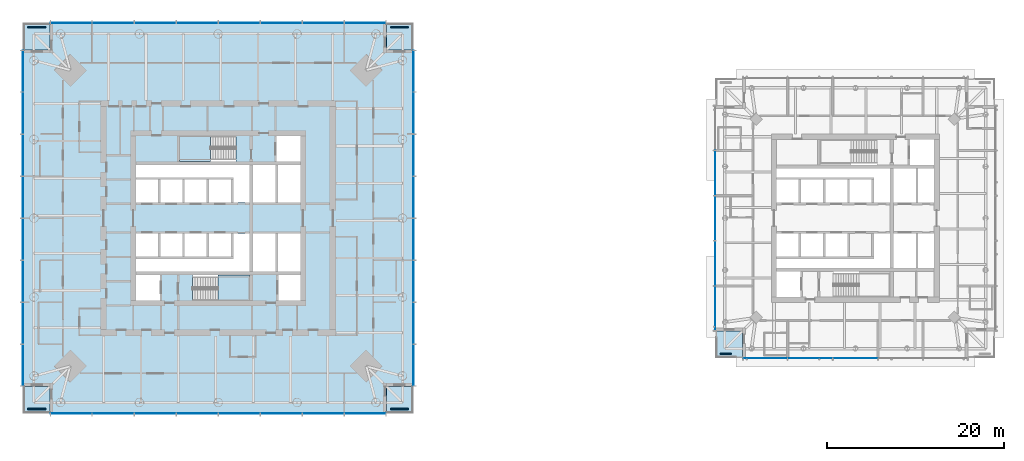
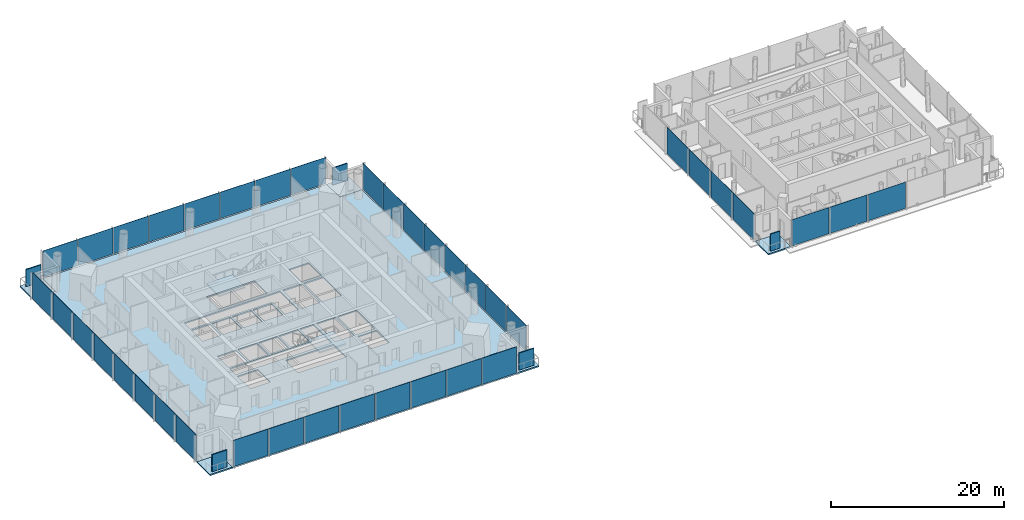
# One storey, part 6 of 19: 44 plates, 8 slabs, 8 elements without a shape of their own.
"""IFC4 building model written with IfcOpenShell, lengths in metres."""

from ifc_helpers import new_model, si_unit, direction, frame, origin, origin_2d, place, context, subcontext, project, spatial, polyline, rectangle, outline, extrude, material, layer, layer_set, type_object, element, aggregate, save


model = new_model("IFC4")

# Units and contexts
model_context = context("Model", 3, precision=1e-05, world=origin(), true_north=direction((0.0, 1.0)))
body_context = subcontext(model_context, "Body", "Model", "MODEL_VIEW")
ifc_project = project(units=[si_unit("LENGTHUNIT", "METRE"), si_unit("AREAUNIT", "SQUARE_METRE"), si_unit("VOLUMEUNIT", "CUBIC_METRE"), si_unit("PLANEANGLEUNIT", "RADIAN"), si_unit("MASSUNIT", "GRAM", prefix="KILO")], contexts=[model_context])

# Site, building, storey
site_placement = place(None, origin())
site = spatial("IfcSite", under=ifc_project, at=site_placement, CompositionType="ELEMENT")
building_placement = place(site_placement, origin())
building = spatial("IfcBuilding", under=site, at=building_placement, Name="Ostroluk Exchange", CompositionType="ELEMENT")
storey_placement = place(building_placement, frame((0.0, 0.0, 119.800048828125)))
storey = spatial("IfcBuildingStorey", under=building, at=storey_placement, Name="L30", CompositionType="ELEMENT", Elevation=119.800048828125)

# Curtain wall, plates
ifc_material_1 = material(Name="Laminated clear glass", Category="glass")
curtain_wall_type_1 = type_object("IfcCurtainWallType", Name="Hotel guest floor facade", PredefinedType="USERDEFINED", material=ifc_material_1)
curtain_wall_1_placement = place(storey_placement, origin())
curtain_wall_1 = element("IfcCurtainWall", 1, at=curtain_wall_1_placement, inside=storey, type_object=curtain_wall_type_1, Name="Hotel tower south facade L30", ObjectType="UNITISED CURTAIN WALL", PredefinedType="USERDEFINED")
ifc_material_2 = material(Name="Laminated clear glass", Category="glass")
ifc_layer_1 = layer(ifc_material_2, 0.0400390625)
ifc_layer_set_1 = layer_set([ifc_layer_1], Name="Acoustic laminated glazing 40")
plate_type_1 = type_object("IfcPlateType", Name="Acoustic laminated glazing 40", PredefinedType="CURTAIN_PANEL", material=ifc_layer_set_1)
plate_1_placement = place(storey_placement, frame((106.820068359375, 30.175048828125, 0.080078125), z_axis=(0.0, 0.0, 1.0), x_axis=(1.0, 0.0, 0.0)))
plate_1 = element("IfcPlate", 2, at=plate_1_placement, type_object=plate_type_1, Name="CW-H1 panel 1.1", PredefinedType="CURTAIN_PANEL", context=body_context, shape_type="SweptSolid", body=[
    extrude(rectangle(XDim=4.97998046875, YDim=0.0400390625, at=origin_2d()), origin(), (0.0, 0.0, 1.0), 3.719970703125),
])
plate_2_placement = place(storey_placement, frame((111.89990234375, 30.175048828125, 0.080078125), z_axis=(0.0, 0.0, 1.0), x_axis=(1.0, 0.0, 0.0)))
plate_2 = element("IfcPlate", 3, at=plate_2_placement, type_object=plate_type_1, Name="CW-H1 panel 2.1", PredefinedType="CURTAIN_PANEL", context=body_context, shape_type="SweptSolid", body=[
    extrude(rectangle(XDim=5.02001953125, YDim=0.0400390625, at=origin_2d()), origin(), (0.0, 0.0, 1.0), 3.719970703125),
])
plate_3_placement = place(storey_placement, frame((117.0, 30.175048828125, 0.080078125), z_axis=(0.0, 0.0, 1.0), x_axis=(1.0, 0.0, 0.0)))
plate_3 = element("IfcPlate", 4, at=plate_3_placement, type_object=plate_type_1, Name="CW-H1 panel 3.1", PredefinedType="CURTAIN_PANEL", context=body_context, shape_type="SweptSolid", body=[
    extrude(rectangle(XDim=5.02001953125, YDim=0.0400390625, at=origin_2d()), origin(), (0.0, 0.0, 1.0), 3.719970703125),
])
aggregate(curtain_wall_1, [plate_1, plate_2, plate_3])

curtain_wall_2_placement = place(storey_placement, origin())
curtain_wall_2 = element("IfcCurtainWall", 5, at=curtain_wall_2_placement, inside=storey, type_object=curtain_wall_type_1, Name="Hotel tower west facade L30", ObjectType="UNITISED CURTAIN WALL", PredefinedType="USERDEFINED")
plate_4_placement = place(storey_placement, frame((101.175048828125, 51.10009765625, 0.080078125), z_axis=(0.0, 0.0, 1.0), x_axis=(0.0, -1.0, 0.0)))
plate_4 = element("IfcPlate", 6, at=plate_4_placement, type_object=plate_type_1, Name="CW-H1 panel 2.1", PredefinedType="CURTAIN_PANEL", context=body_context, shape_type="SweptSolid", body=[
    extrude(rectangle(XDim=5.02001953125, YDim=0.0400390625, at=origin_2d()), origin(), (0.0, 0.0, 1.0), 3.719970703125),
])
plate_5_placement = place(storey_placement, frame((101.175048828125, 46.0, 0.080078125), z_axis=(0.0, 0.0, 1.0), x_axis=(0.0, -1.0, 0.0)))
plate_5 = element("IfcPlate", 7, at=plate_5_placement, type_object=plate_type_1, Name="CW-H1 panel 3.1", PredefinedType="CURTAIN_PANEL", context=body_context, shape_type="SweptSolid", body=[
    extrude(rectangle(XDim=5.02001953125, YDim=0.0400390625, at=origin_2d()), origin(), (0.0, 0.0, 1.0), 3.719970703125),
])
plate_6_placement = place(storey_placement, frame((101.175048828125, 40.89990234375, 0.080078125), z_axis=(0.0, 0.0, 1.0), x_axis=(0.0, -1.0, 0.0)))
plate_6 = element("IfcPlate", 8, at=plate_6_placement, type_object=plate_type_1, Name="CW-H1 panel 4.1", PredefinedType="CURTAIN_PANEL", context=body_context, shape_type="SweptSolid", body=[
    extrude(rectangle(XDim=5.02001953125, YDim=0.0400390625, at=origin_2d()), origin(), (0.0, 0.0, 1.0), 3.719970703125),
])
plate_7_placement = place(storey_placement, frame((101.175048828125, 35.820068359375, 0.080078125), z_axis=(0.0, 0.0, 1.0), x_axis=(0.0, -1.0, 0.0)))
plate_7 = element("IfcPlate", 9, at=plate_7_placement, type_object=plate_type_1, Name="CW-H1 panel 5.1", PredefinedType="CURTAIN_PANEL", context=body_context, shape_type="SweptSolid", body=[
    extrude(rectangle(XDim=4.97998046875, YDim=0.0400390625, at=origin_2d()), origin(), (0.0, 0.0, 1.0), 3.719970703125),
])
aggregate(curtain_wall_2, [plate_4, plate_5, plate_6, plate_7])

# Slabs
ifc_material_3 = material(Name="Concrete C35/45", Category="concrete")
ifc_layer_2 = layer(ifc_material_3, 0.179931640625)
ifc_layer_set_2 = layer_set([ifc_layer_2], Name="Balcony slab 180")
slab_type_1 = type_object("IfcSlabType", Name="Balcony slab 180", PredefinedType="USERDEFINED", material=ifc_layer_set_2)
slab_1_placement = place(storey_placement, frame((0.0, 0.0, -0.179931640625)))
element("IfcSlab", 10, at=slab_1_placement, inside=storey, type_object=slab_type_1, Name="Office tower SE corner balcony L30", ObjectType="BALCONY", PredefinedType="USERDEFINED", context=body_context, shape_type="SweptSolid", body=[
    extrude(outline(polyline([(64.0, 24.0), (67.0, 24.0), (67.0, 27.0), (64.0, 27.0), (64.0, 24.0)])), origin(), (0.0, 0.0, 1.0), 0.179931640625),
])
slab_2_placement = place(storey_placement, frame((0.0, 0.0, -0.179931640625)))
element("IfcSlab", 11, at=slab_2_placement, inside=storey, type_object=slab_type_1, Name="Office tower NE corner balcony L30", ObjectType="BALCONY", PredefinedType="USERDEFINED", context=body_context, shape_type="SweptSolid", body=[
    extrude(outline(polyline([(64.0, 65.0), (67.0, 65.0), (67.0, 68.0), (64.0, 68.0), (64.0, 65.0)])), origin(), (0.0, 0.0, 1.0), 0.179931640625),
])
slab_3_placement = place(storey_placement, frame((0.0, 0.0, -0.179931640625)))
element("IfcSlab", 12, at=slab_3_placement, inside=storey, type_object=slab_type_1, Name="Office tower NW corner balcony L30", ObjectType="BALCONY", PredefinedType="USERDEFINED", context=body_context, shape_type="SweptSolid", body=[
    extrude(outline(polyline([(23.0, 65.0), (26.0, 65.0), (26.0, 68.0), (23.0, 68.0), (23.0, 65.0)])), origin(), (0.0, 0.0, 1.0), 0.179931640625),
])
slab_4_placement = place(storey_placement, frame((0.0, 0.0, -0.179931640625)))
element("IfcSlab", 13, at=slab_4_placement, inside=storey, type_object=slab_type_1, Name="Office tower SW corner balcony L30", ObjectType="BALCONY", PredefinedType="USERDEFINED", context=body_context, shape_type="SweptSolid", body=[
    extrude(outline(polyline([(23.0, 24.0), (26.0, 24.0), (26.0, 27.0), (23.0, 27.0), (23.0, 24.0)])), origin(), (0.0, 0.0, 1.0), 0.179931640625),
])
ifc_material_4 = material(Name="Concrete C35/45", Category="concrete")
ifc_layer_3 = layer(ifc_material_4, 0.199951171875)
ifc_layer_set_3 = layer_set([ifc_layer_3], Name="Balcony slab 200")
slab_type_2 = type_object("IfcSlabType", Name="Balcony slab 200", PredefinedType="USERDEFINED", material=ifc_layer_set_3)
slab_5_placement = place(storey_placement, frame((0.0, 0.0, -0.199951171875)))
element("IfcSlab", 14, at=slab_5_placement, inside=storey, type_object=slab_type_2, Name="Hotel tower SW corner balcony L30", ObjectType="BALCONY", PredefinedType="USERDEFINED", context=body_context, shape_type="SweptSolid", body=[
    extrude(outline(polyline([(101.25, 30.25), (104.25, 30.25), (104.25, 33.25), (101.25, 33.25), (101.25, 30.25)])), origin(), (0.0, 0.0, 1.0), 0.199951171875),
])

# Plates
ifc_material_5 = material(Name="Steel S355 trellis with planting", Category="steel")
ifc_layer_4 = layer(ifc_material_5, 0.14990234375)
ifc_layer_set_4 = layer_set([ifc_layer_4], Name="Planted screen 150")
plate_type_2 = type_object("IfcPlateType", Name="Planted screen 150", PredefinedType="USERDEFINED", material=ifc_layer_set_4)
for number, where, z_axis, x_axis, name in (
    (15, (65.5, 24.425048828125, 0.0), (0.0, 0.0, 1.0), (1.0, 0.0, 0.0), "Office tower SE planted screen L30"),
    (16, (65.5, 67.574951171875, 0.0), (0.0, 0.0, 1.0), (1.0, 0.0, 0.0), "Office tower NE planted screen L30"),
    (17, (24.5, 67.574951171875, 0.0), (0.0, 0.0, 1.0), (1.0, 0.0, 0.0), "Office tower NW planted screen L30"),
    (18, (24.5, 24.425048828125, 0.0), (0.0, 0.0, 1.0), (1.0, 0.0, 0.0), "Office tower SW planted screen L30"),
):
    element("IfcPlate", number, at=place(storey_placement, frame(where, z_axis=z_axis, x_axis=x_axis)), inside=storey, type_object=plate_type_2, Name=name, ObjectType="PLANTED SCREEN", PredefinedType="USERDEFINED", context=body_context, shape_type="SweptSolid", body=[
        extrude(rectangle(XDim=2.0, YDim=0.14990234375, at=origin_2d()), origin(), (0.0, 0.0, 1.0), 2.39990234375),
    ])
plate_8_placement = place(storey_placement, frame((102.375, 30.675048828125, 0.0), z_axis=(0.0, 0.0, 1.0), x_axis=(1.0, 0.0, 0.0)))
element("IfcPlate", 19, at=plate_8_placement, inside=storey, type_object=plate_type_2, Name="Hotel tower SW planted screen L30", ObjectType="PLANTED SCREEN", PredefinedType="USERDEFINED", context=body_context, shape_type="SweptSolid", body=[
    extrude(rectangle(XDim=1.25, YDim=0.14990234375, at=origin_2d()), origin(), (0.0, 0.0, 1.0), 2.39990234375),
])

# Stair, slab
ifc_material_6 = material(Name="Concrete C30/37", Category="concrete")
stair_type = type_object("IfcStairType", Name="Exit stair half turn 3800", PredefinedType="HALF_TURN_STAIR", material=ifc_material_6)
stair_1_placement = place(storey_placement, origin())
stair_1 = element("IfcStair", 20, at=stair_1_placement, inside=storey, type_object=stair_type, Name="Stair T1-S1 L30", PredefinedType="HALF_TURN_STAIR")
ifc_material_7 = material(Name="Concrete C30/37", Category="concrete")
ifc_layer_5 = layer(ifc_material_7, 0.199951171875)
ifc_layer_set_5 = layer_set([ifc_layer_5], Name="Stair landing 200")
slab_type_3 = type_object("IfcSlabType", Name="Stair landing 200", PredefinedType="LANDING", material=ifc_layer_set_5)
slab_6_placement = place(storey_placement, frame((0.0, 0.0, 1.699951171875)))
slab_6 = element("IfcSlab", 21, at=slab_6_placement, type_object=slab_type_3, Name="T1-S1 landing 1", PredefinedType="LANDING", context=body_context, shape_type="SweptSolid", body=[
    extrude(outline(polyline([(45.0, 36.699951171875), (45.0, 39.60009765625), (48.530029296875, 39.60009765625), (48.530029296875, 36.699951171875), (45.0, 36.699951171875)])), origin(), (0.0, 0.0, 1.0), 0.199951171875),
])
aggregate(stair_1, [slab_6])

stair_2_placement = place(storey_placement, origin())
stair_2 = element("IfcStair", 22, at=stair_2_placement, inside=storey, type_object=stair_type, Name="Stair T1-S2 L30", PredefinedType="HALF_TURN_STAIR")
slab_7_placement = place(storey_placement, frame((0.0, 0.0, 1.699951171875)))
slab_7 = element("IfcSlab", 23, at=slab_7_placement, type_object=slab_type_3, Name="T1-S2 landing 1", PredefinedType="LANDING", context=body_context, shape_type="SweptSolid", body=[
    extrude(outline(polyline([(44.1298828125, 52.39990234375), (44.1298828125, 55.300048828125), (40.60009765625, 55.300048828125), (40.60009765625, 52.39990234375), (44.1298828125, 52.39990234375)])), origin(), (0.0, 0.0, 1.0), 0.199951171875),
])
aggregate(stair_2, [slab_7])

# Slab
ifc_material_8 = material(Name="Concrete C35/45", Category="concrete")
ifc_layer_6 = layer(ifc_material_8, 0.179931640625)
ifc_layer_set_6 = layer_set([ifc_layer_6], Name="Tower floor slab 180 composite")
slab_type_4 = type_object("IfcSlabType", Name="Tower floor slab 180 composite", PredefinedType="FLOOR", material=ifc_layer_set_6)
slab_8_placement = place(storey_placement, frame((0.0, 0.0, -0.179931640625)))
element("IfcSlab", 24, at=slab_8_placement, inside=storey, type_object=slab_type_4, Name="Office tower floor slab L30", PredefinedType="FLOOR", context=body_context, shape_type="SweptSolid", body=[
    extrude(outline(polyline([(26.0, 24.0), (64.0, 24.0), (64.0, 27.0), (67.0, 27.0), (67.0, 65.0), (64.0, 65.0), (64.0, 68.0), (26.0, 68.0), (26.0, 65.0), (23.0, 65.0), (23.0, 27.0), (26.0, 27.0), (26.0, 24.0)]), holes=[polyline([(35.699951171875, 36.699951171875), (38.39990234375, 36.699951171875), (38.39990234375, 39.60009765625), (35.699951171875, 39.60009765625), (35.699951171875, 36.699951171875)]), polyline([(42.110107421875, 36.699951171875), (48.530029296875, 36.699951171875), (48.530029296875, 39.60009765625), (42.110107421875, 39.60009765625), (42.110107421875, 36.699951171875)]), polyline([(51.800048828125, 36.699951171875), (54.300048828125, 36.699951171875), (54.300048828125, 39.60009765625), (51.800048828125, 39.60009765625), (51.800048828125, 36.699951171875)]), polyline([(40.60009765625, 52.39990234375), (47.02001953125, 52.39990234375), (47.02001953125, 55.300048828125), (40.60009765625, 55.300048828125), (40.60009765625, 52.39990234375)]), polyline([(51.60009765625, 52.39990234375), (54.300048828125, 52.39990234375), (54.300048828125, 55.300048828125), (51.60009765625, 55.300048828125), (51.60009765625, 52.39990234375)]), polyline([(35.699951171875, 47.75), (38.199951171875, 47.75), (38.199951171875, 50.35009765625), (35.699951171875, 50.35009765625), (35.699951171875, 47.75)]), polyline([(38.449951171875, 47.75), (40.949951171875, 47.75), (40.949951171875, 50.35009765625), (38.449951171875, 50.35009765625), (38.449951171875, 47.75)]), polyline([(41.199951171875, 47.75), (43.699951171875, 47.75), (43.699951171875, 50.35009765625), (41.199951171875, 50.35009765625), (41.199951171875, 47.75)]), polyline([(43.949951171875, 47.75), (46.449951171875, 47.75), (46.449951171875, 50.35009765625), (43.949951171875, 50.35009765625), (43.949951171875, 47.75)]), polyline([(35.699951171875, 41.64990234375), (38.199951171875, 41.64990234375), (38.199951171875, 44.25), (35.699951171875, 44.25), (35.699951171875, 41.64990234375)]), polyline([(38.449951171875, 41.64990234375), (40.949951171875, 41.64990234375), (40.949951171875, 44.25), (38.449951171875, 44.25), (38.449951171875, 41.64990234375)]), polyline([(41.199951171875, 41.64990234375), (43.699951171875, 41.64990234375), (43.699951171875, 44.25), (41.199951171875, 44.25), (41.199951171875, 41.64990234375)]), polyline([(43.949951171875, 41.64990234375), (46.449951171875, 41.64990234375), (46.449951171875, 44.25), (43.949951171875, 44.25), (43.949951171875, 41.64990234375)]), polyline([(48.929931640625, 47.75), (51.489990234375, 47.75), (51.489990234375, 52.0), (48.929931640625, 52.0), (48.929931640625, 47.75)]), polyline([(51.739990234375, 47.75), (54.300048828125, 47.75), (54.300048828125, 52.0), (51.739990234375, 52.0), (51.739990234375, 47.75)]), polyline([(48.929931640625, 40.0), (51.489990234375, 40.0), (51.489990234375, 44.25), (48.929931640625, 44.25), (48.929931640625, 40.0)]), polyline([(51.739990234375, 40.0), (54.300048828125, 40.0), (54.300048828125, 44.25), (51.739990234375, 44.25), (51.739990234375, 40.0)]), polyline([(48.530029296875, 52.0), (48.530029296875, 47.75), (46.699951171875, 47.75), (46.699951171875, 50.60009765625), (35.699951171875, 50.60009765625), (35.699951171875, 52.0), (48.530029296875, 52.0)]), polyline([(35.699951171875, 40.0), (35.699951171875, 41.39990234375), (46.699951171875, 41.39990234375), (46.699951171875, 44.25), (48.530029296875, 44.25), (48.530029296875, 40.0), (35.699951171875, 40.0)])]), origin(), (0.0, 0.0, 1.0), 0.179931640625),
])

# Curtain wall, plates
ifc_material_9 = material(Name="Laminated clear glass", Category="glass")
curtain_wall_type_2 = type_object("IfcCurtainWallType", Name="Office tower facade", PredefinedType="USERDEFINED", material=ifc_material_9)
curtain_wall_3_placement = place(storey_placement, origin())
curtain_wall_3 = element("IfcCurtainWall", 25, at=curtain_wall_3_placement, inside=storey, type_object=curtain_wall_type_2, Name="Office tower south facade L30", ObjectType="UNITISED CURTAIN WALL", PredefinedType="USERDEFINED")
ifc_material_10 = material(Name="Laminated clear glass", Category="glass")
ifc_layer_7 = layer(ifc_material_10, 0.0439453125)
ifc_layer_set_7 = layer_set([ifc_layer_7], Name="Triple laminated clear glazing 44")
plate_type_3 = type_object("IfcPlateType", Name="Triple laminated clear glazing 44", PredefinedType="CURTAIN_PANEL", material=ifc_layer_set_7)
plate_9_placement = place(storey_placement, frame((28.39501953125, 23.925048828125, 0.080078125), z_axis=(0.0, 0.0, 1.0), x_axis=(1.0, 0.0, 0.0)))
plate_9 = element("IfcPlate", 26, at=plate_9_placement, type_object=plate_type_3, Name="CW-O1 panel 1.1", PredefinedType="CURTAIN_PANEL", context=body_context, shape_type="SweptSolid", body=[
    extrude(rectangle(XDim=4.6298828125, YDim=0.0439453125, at=origin_2d()), origin(), (0.0, 0.0, 1.0), 3.719970703125),
])
plate_10_placement = place(storey_placement, frame((33.125, 23.925048828125, 0.080078125), z_axis=(0.0, 0.0, 1.0), x_axis=(1.0, 0.0, 0.0)))
plate_10 = element("IfcPlate", 27, at=plate_10_placement, type_object=plate_type_3, Name="CW-O1 panel 2.1", PredefinedType="CURTAIN_PANEL", context=body_context, shape_type="SweptSolid", body=[
    extrude(rectangle(XDim=4.669921875, YDim=0.0439453125, at=origin_2d()), origin(), (0.0, 0.0, 1.0), 3.719970703125),
])
plate_11_placement = place(storey_placement, frame((37.875, 23.925048828125, 0.080078125), z_axis=(0.0, 0.0, 1.0), x_axis=(1.0, 0.0, 0.0)))
plate_11 = element("IfcPlate", 28, at=plate_11_placement, type_object=plate_type_3, Name="CW-O1 panel 3.1", PredefinedType="CURTAIN_PANEL", context=body_context, shape_type="SweptSolid", body=[
    extrude(rectangle(XDim=4.669921875, YDim=0.0439453125, at=origin_2d()), origin(), (0.0, 0.0, 1.0), 3.719970703125),
])
plate_12_placement = place(storey_placement, frame((42.625, 23.925048828125, 0.080078125), z_axis=(0.0, 0.0, 1.0), x_axis=(1.0, 0.0, 0.0)))
plate_12 = element("IfcPlate", 29, at=plate_12_placement, type_object=plate_type_3, Name="CW-O1 panel 4.1", PredefinedType="CURTAIN_PANEL", context=body_context, shape_type="SweptSolid", body=[
    extrude(rectangle(XDim=4.669921875, YDim=0.0439453125, at=origin_2d()), origin(), (0.0, 0.0, 1.0), 3.719970703125),
])
plate_13_placement = place(storey_placement, frame((47.375, 23.925048828125, 0.080078125), z_axis=(0.0, 0.0, 1.0), x_axis=(1.0, 0.0, 0.0)))
plate_13 = element("IfcPlate", 30, at=plate_13_placement, type_object=plate_type_3, Name="CW-O1 panel 5.1", PredefinedType="CURTAIN_PANEL", context=body_context, shape_type="SweptSolid", body=[
    extrude(rectangle(XDim=4.669921875, YDim=0.0439453125, at=origin_2d()), origin(), (0.0, 0.0, 1.0), 3.719970703125),
])
plate_14_placement = place(storey_placement, frame((52.125, 23.925048828125, 0.080078125), z_axis=(0.0, 0.0, 1.0), x_axis=(1.0, 0.0, 0.0)))
plate_14 = element("IfcPlate", 31, at=plate_14_placement, type_object=plate_type_3, Name="CW-O1 panel 6.1", PredefinedType="CURTAIN_PANEL", context=body_context, shape_type="SweptSolid", body=[
    extrude(rectangle(XDim=4.669921875, YDim=0.0439453125, at=origin_2d()), origin(), (0.0, 0.0, 1.0), 3.719970703125),
])
plate_15_placement = place(storey_placement, frame((56.875, 23.925048828125, 0.080078125), z_axis=(0.0, 0.0, 1.0), x_axis=(1.0, 0.0, 0.0)))
plate_15 = element("IfcPlate", 32, at=plate_15_placement, type_object=plate_type_3, Name="CW-O1 panel 7.1", PredefinedType="CURTAIN_PANEL", context=body_context, shape_type="SweptSolid", body=[
    extrude(rectangle(XDim=4.669921875, YDim=0.0439453125, at=origin_2d()), origin(), (0.0, 0.0, 1.0), 3.719970703125),
])
plate_16_placement = place(storey_placement, frame((61.60498046875, 23.925048828125, 0.080078125), z_axis=(0.0, 0.0, 1.0), x_axis=(1.0, 0.0, 0.0)))
plate_16 = element("IfcPlate", 33, at=plate_16_placement, type_object=plate_type_3, Name="CW-O1 panel 8.1", PredefinedType="CURTAIN_PANEL", context=body_context, shape_type="SweptSolid", body=[
    extrude(rectangle(XDim=4.6298828125, YDim=0.0439453125, at=origin_2d()), origin(), (0.0, 0.0, 1.0), 3.719970703125),
])
aggregate(curtain_wall_3, [plate_9, plate_10, plate_11, plate_12, plate_13, plate_14, plate_15, plate_16])

curtain_wall_4_placement = place(storey_placement, origin())
curtain_wall_4 = element("IfcCurtainWall", 34, at=curtain_wall_4_placement, inside=storey, type_object=curtain_wall_type_2, Name="Office tower east facade L30", ObjectType="UNITISED CURTAIN WALL", PredefinedType="USERDEFINED")
plate_17_placement = place(storey_placement, frame((67.074951171875, 29.39501953125, 0.080078125), z_axis=(0.0, 0.0, 1.0), x_axis=(0.0, 1.0, 0.0)))
plate_17 = element("IfcPlate", 35, at=plate_17_placement, type_object=plate_type_3, Name="CW-O1 panel 1.1", PredefinedType="CURTAIN_PANEL", context=body_context, shape_type="SweptSolid", body=[
    extrude(rectangle(XDim=4.6298828125, YDim=0.0439453125, at=origin_2d()), origin(), (0.0, 0.0, 1.0), 3.719970703125),
])
plate_18_placement = place(storey_placement, frame((67.074951171875, 34.125, 0.080078125), z_axis=(0.0, 0.0, 1.0), x_axis=(0.0, 1.0, 0.0)))
plate_18 = element("IfcPlate", 36, at=plate_18_placement, type_object=plate_type_3, Name="CW-O1 panel 2.1", PredefinedType="CURTAIN_PANEL", context=body_context, shape_type="SweptSolid", body=[
    extrude(rectangle(XDim=4.669921875, YDim=0.0439453125, at=origin_2d()), origin(), (0.0, 0.0, 1.0), 3.719970703125),
])
plate_19_placement = place(storey_placement, frame((67.074951171875, 38.875, 0.080078125), z_axis=(0.0, 0.0, 1.0), x_axis=(0.0, 1.0, 0.0)))
plate_19 = element("IfcPlate", 37, at=plate_19_placement, type_object=plate_type_3, Name="CW-O1 panel 3.1", PredefinedType="CURTAIN_PANEL", context=body_context, shape_type="SweptSolid", body=[
    extrude(rectangle(XDim=4.669921875, YDim=0.0439453125, at=origin_2d()), origin(), (0.0, 0.0, 1.0), 3.719970703125),
])
plate_20_placement = place(storey_placement, frame((67.074951171875, 43.625, 0.080078125), z_axis=(0.0, 0.0, 1.0), x_axis=(0.0, 1.0, 0.0)))
plate_20 = element("IfcPlate", 38, at=plate_20_placement, type_object=plate_type_3, Name="CW-O1 panel 4.1", PredefinedType="CURTAIN_PANEL", context=body_context, shape_type="SweptSolid", body=[
    extrude(rectangle(XDim=4.669921875, YDim=0.0439453125, at=origin_2d()), origin(), (0.0, 0.0, 1.0), 3.719970703125),
])
plate_21_placement = place(storey_placement, frame((67.074951171875, 48.375, 0.080078125), z_axis=(0.0, 0.0, 1.0), x_axis=(0.0, 1.0, 0.0)))
plate_21 = element("IfcPlate", 39, at=plate_21_placement, type_object=plate_type_3, Name="CW-O1 panel 5.1", PredefinedType="CURTAIN_PANEL", context=body_context, shape_type="SweptSolid", body=[
    extrude(rectangle(XDim=4.669921875, YDim=0.0439453125, at=origin_2d()), origin(), (0.0, 0.0, 1.0), 3.719970703125),
])
plate_22_placement = place(storey_placement, frame((67.074951171875, 53.125, 0.080078125), z_axis=(0.0, 0.0, 1.0), x_axis=(0.0, 1.0, 0.0)))
plate_22 = element("IfcPlate", 40, at=plate_22_placement, type_object=plate_type_3, Name="CW-O1 panel 6.1", PredefinedType="CURTAIN_PANEL", context=body_context, shape_type="SweptSolid", body=[
    extrude(rectangle(XDim=4.669921875, YDim=0.0439453125, at=origin_2d()), origin(), (0.0, 0.0, 1.0), 3.719970703125),
])
plate_23_placement = place(storey_placement, frame((67.074951171875, 57.875, 0.080078125), z_axis=(0.0, 0.0, 1.0), x_axis=(0.0, 1.0, 0.0)))
plate_23 = element("IfcPlate", 41, at=plate_23_placement, type_object=plate_type_3, Name="CW-O1 panel 7.1", PredefinedType="CURTAIN_PANEL", context=body_context, shape_type="SweptSolid", body=[
    extrude(rectangle(XDim=4.669921875, YDim=0.0439453125, at=origin_2d()), origin(), (0.0, 0.0, 1.0), 3.719970703125),
])
plate_24_placement = place(storey_placement, frame((67.074951171875, 62.60498046875, 0.080078125), z_axis=(0.0, 0.0, 1.0), x_axis=(0.0, 1.0, 0.0)))
plate_24 = element("IfcPlate", 42, at=plate_24_placement, type_object=plate_type_3, Name="CW-O1 panel 8.1", PredefinedType="CURTAIN_PANEL", context=body_context, shape_type="SweptSolid", body=[
    extrude(rectangle(XDim=4.6298828125, YDim=0.0439453125, at=origin_2d()), origin(), (0.0, 0.0, 1.0), 3.719970703125),
])
aggregate(curtain_wall_4, [plate_17, plate_18, plate_19, plate_20, plate_21, plate_22, plate_23, plate_24])

curtain_wall_5_placement = place(storey_placement, origin())
curtain_wall_5 = element("IfcCurtainWall", 43, at=curtain_wall_5_placement, inside=storey, type_object=curtain_wall_type_2, Name="Office tower north facade L30", ObjectType="UNITISED CURTAIN WALL", PredefinedType="USERDEFINED")
plate_25_placement = place(storey_placement, frame((61.60498046875, 68.074951171875, 0.080078125), z_axis=(0.0, 0.0, 1.0), x_axis=(-1.0, 0.0, 0.0)))
plate_25 = element("IfcPlate", 44, at=plate_25_placement, type_object=plate_type_3, Name="CW-O1 panel 1.1", PredefinedType="CURTAIN_PANEL", context=body_context, shape_type="SweptSolid", body=[
    extrude(rectangle(XDim=4.6298828125, YDim=0.0439453125, at=origin_2d()), origin(), (0.0, 0.0, 1.0), 3.719970703125),
])
plate_26_placement = place(storey_placement, frame((56.875, 68.074951171875, 0.080078125), z_axis=(0.0, 0.0, 1.0), x_axis=(-1.0, 0.0, 0.0)))
plate_26 = element("IfcPlate", 45, at=plate_26_placement, type_object=plate_type_3, Name="CW-O1 panel 2.1", PredefinedType="CURTAIN_PANEL", context=body_context, shape_type="SweptSolid", body=[
    extrude(rectangle(XDim=4.669921875, YDim=0.0439453125, at=origin_2d()), origin(), (0.0, 0.0, 1.0), 3.719970703125),
])
plate_27_placement = place(storey_placement, frame((52.125, 68.074951171875, 0.080078125), z_axis=(0.0, 0.0, 1.0), x_axis=(-1.0, 0.0, 0.0)))
plate_27 = element("IfcPlate", 46, at=plate_27_placement, type_object=plate_type_3, Name="CW-O1 panel 3.1", PredefinedType="CURTAIN_PANEL", context=body_context, shape_type="SweptSolid", body=[
    extrude(rectangle(XDim=4.669921875, YDim=0.0439453125, at=origin_2d()), origin(), (0.0, 0.0, 1.0), 3.719970703125),
])
plate_28_placement = place(storey_placement, frame((47.375, 68.074951171875, 0.080078125), z_axis=(0.0, 0.0, 1.0), x_axis=(-1.0, 0.0, 0.0)))
plate_28 = element("IfcPlate", 47, at=plate_28_placement, type_object=plate_type_3, Name="CW-O1 panel 4.1", PredefinedType="CURTAIN_PANEL", context=body_context, shape_type="SweptSolid", body=[
    extrude(rectangle(XDim=4.669921875, YDim=0.0439453125, at=origin_2d()), origin(), (0.0, 0.0, 1.0), 3.719970703125),
])
plate_29_placement = place(storey_placement, frame((42.625, 68.074951171875, 0.080078125), z_axis=(0.0, 0.0, 1.0), x_axis=(-1.0, 0.0, 0.0)))
plate_29 = element("IfcPlate", 48, at=plate_29_placement, type_object=plate_type_3, Name="CW-O1 panel 5.1", PredefinedType="CURTAIN_PANEL", context=body_context, shape_type="SweptSolid", body=[
    extrude(rectangle(XDim=4.669921875, YDim=0.0439453125, at=origin_2d()), origin(), (0.0, 0.0, 1.0), 3.719970703125),
])
plate_30_placement = place(storey_placement, frame((37.875, 68.074951171875, 0.080078125), z_axis=(0.0, 0.0, 1.0), x_axis=(-1.0, 0.0, 0.0)))
plate_30 = element("IfcPlate", 49, at=plate_30_placement, type_object=plate_type_3, Name="CW-O1 panel 6.1", PredefinedType="CURTAIN_PANEL", context=body_context, shape_type="SweptSolid", body=[
    extrude(rectangle(XDim=4.669921875, YDim=0.0439453125, at=origin_2d()), origin(), (0.0, 0.0, 1.0), 3.719970703125),
])
plate_31_placement = place(storey_placement, frame((33.125, 68.074951171875, 0.080078125), z_axis=(0.0, 0.0, 1.0), x_axis=(-1.0, 0.0, 0.0)))
plate_31 = element("IfcPlate", 50, at=plate_31_placement, type_object=plate_type_3, Name="CW-O1 panel 7.1", PredefinedType="CURTAIN_PANEL", context=body_context, shape_type="SweptSolid", body=[
    extrude(rectangle(XDim=4.669921875, YDim=0.0439453125, at=origin_2d()), origin(), (0.0, 0.0, 1.0), 3.719970703125),
])
plate_32_placement = place(storey_placement, frame((28.39501953125, 68.074951171875, 0.080078125), z_axis=(0.0, 0.0, 1.0), x_axis=(-1.0, 0.0, 0.0)))
plate_32 = element("IfcPlate", 51, at=plate_32_placement, type_object=plate_type_3, Name="CW-O1 panel 8.1", PredefinedType="CURTAIN_PANEL", context=body_context, shape_type="SweptSolid", body=[
    extrude(rectangle(XDim=4.6298828125, YDim=0.0439453125, at=origin_2d()), origin(), (0.0, 0.0, 1.0), 3.719970703125),
])
aggregate(curtain_wall_5, [plate_25, plate_26, plate_27, plate_28, plate_29, plate_30, plate_31, plate_32])

curtain_wall_6_placement = place(storey_placement, origin())
curtain_wall_6 = element("IfcCurtainWall", 52, at=curtain_wall_6_placement, inside=storey, type_object=curtain_wall_type_2, Name="Office tower west facade L30", ObjectType="UNITISED CURTAIN WALL", PredefinedType="USERDEFINED")
plate_33_placement = place(storey_placement, frame((22.925048828125, 62.60498046875, 0.080078125), z_axis=(0.0, 0.0, 1.0), x_axis=(0.0, -1.0, 0.0)))
plate_33 = element("IfcPlate", 53, at=plate_33_placement, type_object=plate_type_3, Name="CW-O1 panel 1.1", PredefinedType="CURTAIN_PANEL", context=body_context, shape_type="SweptSolid", body=[
    extrude(rectangle(XDim=4.6298828125, YDim=0.0439453125, at=origin_2d()), origin(), (0.0, 0.0, 1.0), 3.719970703125),
])
plate_34_placement = place(storey_placement, frame((22.925048828125, 57.875, 0.080078125), z_axis=(0.0, 0.0, 1.0), x_axis=(0.0, -1.0, 0.0)))
plate_34 = element("IfcPlate", 54, at=plate_34_placement, type_object=plate_type_3, Name="CW-O1 panel 2.1", PredefinedType="CURTAIN_PANEL", context=body_context, shape_type="SweptSolid", body=[
    extrude(rectangle(XDim=4.669921875, YDim=0.0439453125, at=origin_2d()), origin(), (0.0, 0.0, 1.0), 3.719970703125),
])
plate_35_placement = place(storey_placement, frame((22.925048828125, 53.125, 0.080078125), z_axis=(0.0, 0.0, 1.0), x_axis=(0.0, -1.0, 0.0)))
plate_35 = element("IfcPlate", 55, at=plate_35_placement, type_object=plate_type_3, Name="CW-O1 panel 3.1", PredefinedType="CURTAIN_PANEL", context=body_context, shape_type="SweptSolid", body=[
    extrude(rectangle(XDim=4.669921875, YDim=0.0439453125, at=origin_2d()), origin(), (0.0, 0.0, 1.0), 3.719970703125),
])
plate_36_placement = place(storey_placement, frame((22.925048828125, 48.375, 0.080078125), z_axis=(0.0, 0.0, 1.0), x_axis=(0.0, -1.0, 0.0)))
plate_36 = element("IfcPlate", 56, at=plate_36_placement, type_object=plate_type_3, Name="CW-O1 panel 4.1", PredefinedType="CURTAIN_PANEL", context=body_context, shape_type="SweptSolid", body=[
    extrude(rectangle(XDim=4.669921875, YDim=0.0439453125, at=origin_2d()), origin(), (0.0, 0.0, 1.0), 3.719970703125),
])
plate_37_placement = place(storey_placement, frame((22.925048828125, 43.625, 0.080078125), z_axis=(0.0, 0.0, 1.0), x_axis=(0.0, -1.0, 0.0)))
plate_37 = element("IfcPlate", 57, at=plate_37_placement, type_object=plate_type_3, Name="CW-O1 panel 5.1", PredefinedType="CURTAIN_PANEL", context=body_context, shape_type="SweptSolid", body=[
    extrude(rectangle(XDim=4.669921875, YDim=0.0439453125, at=origin_2d()), origin(), (0.0, 0.0, 1.0), 3.719970703125),
])
plate_38_placement = place(storey_placement, frame((22.925048828125, 38.875, 0.080078125), z_axis=(0.0, 0.0, 1.0), x_axis=(0.0, -1.0, 0.0)))
plate_38 = element("IfcPlate", 58, at=plate_38_placement, type_object=plate_type_3, Name="CW-O1 panel 6.1", PredefinedType="CURTAIN_PANEL", context=body_context, shape_type="SweptSolid", body=[
    extrude(rectangle(XDim=4.669921875, YDim=0.0439453125, at=origin_2d()), origin(), (0.0, 0.0, 1.0), 3.719970703125),
])
plate_39_placement = place(storey_placement, frame((22.925048828125, 34.125, 0.080078125), z_axis=(0.0, 0.0, 1.0), x_axis=(0.0, -1.0, 0.0)))
plate_39 = element("IfcPlate", 59, at=plate_39_placement, type_object=plate_type_3, Name="CW-O1 panel 7.1", PredefinedType="CURTAIN_PANEL", context=body_context, shape_type="SweptSolid", body=[
    extrude(rectangle(XDim=4.669921875, YDim=0.0439453125, at=origin_2d()), origin(), (0.0, 0.0, 1.0), 3.719970703125),
])
plate_40_placement = place(storey_placement, frame((22.925048828125, 29.39501953125, 0.080078125), z_axis=(0.0, 0.0, 1.0), x_axis=(0.0, -1.0, 0.0)))
plate_40 = element("IfcPlate", 60, at=plate_40_placement, type_object=plate_type_3, Name="CW-O1 panel 8.1", PredefinedType="CURTAIN_PANEL", context=body_context, shape_type="SweptSolid", body=[
    extrude(rectangle(XDim=4.6298828125, YDim=0.0439453125, at=origin_2d()), origin(), (0.0, 0.0, 1.0), 3.719970703125),
])
aggregate(curtain_wall_6, [plate_33, plate_34, plate_35, plate_36, plate_37, plate_38, plate_39, plate_40])

save(model, "model.ifc")
